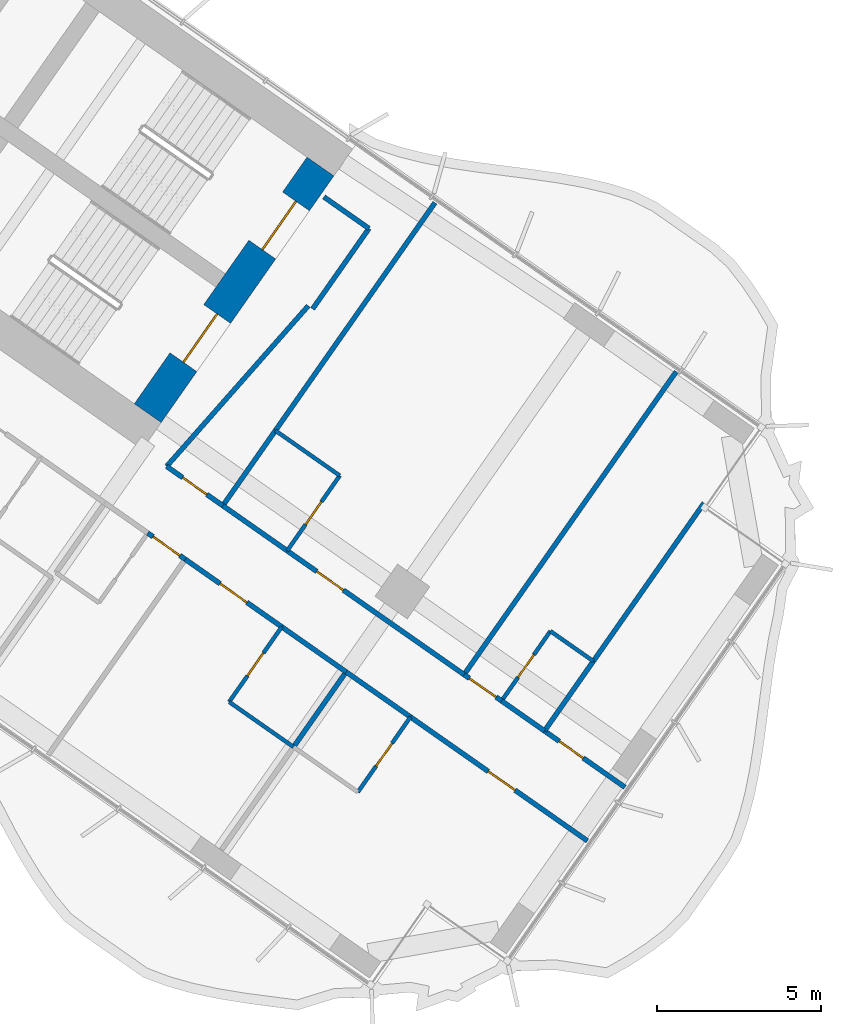
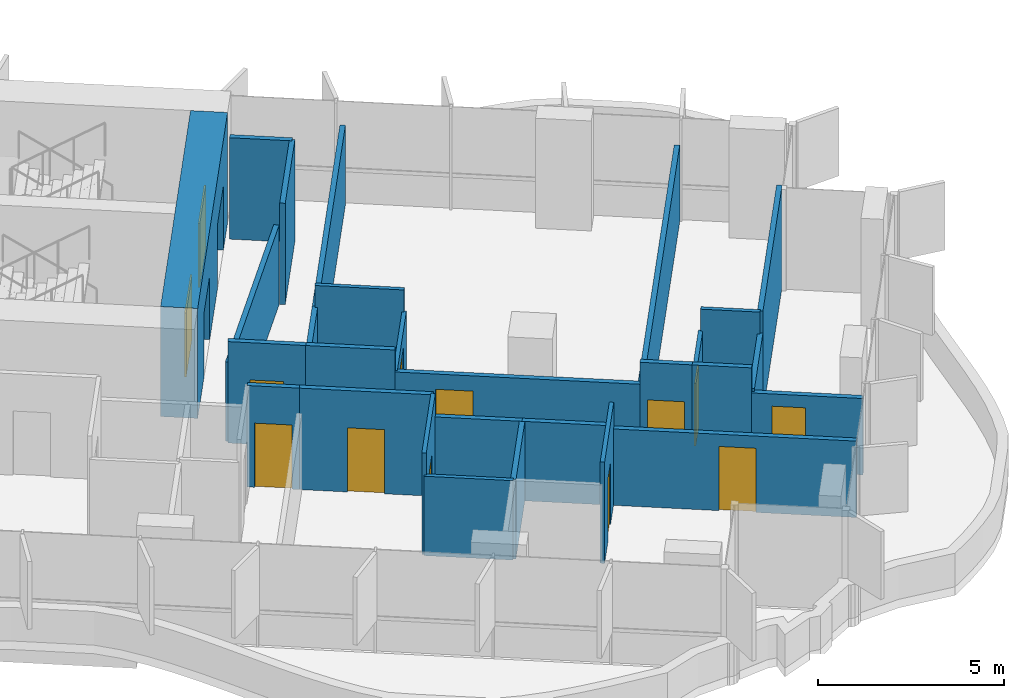
# One storey, part 17 of 25: 28 walls, 13 doors, 13 openings.
"""IFC4 building model written with IfcOpenShell, lengths in metres."""

from ifc_helpers import new_model, si_unit, direction, frame, frame_2d, origin, place, context, subcontext, project, spatial, polyline, rectangle, outline, extrude, material, layer, layer_set, type_object, element, fill, save


model = new_model("IFC4")

# Units and contexts
model_context = context("Model", 3, precision=1e-05, world=origin(), true_north=direction((0.0, 1.0)))
body_context = subcontext(model_context, "Body", "Model", "MODEL_VIEW")
ifc_project = project(units=[si_unit("LENGTHUNIT", "METRE"), si_unit("AREAUNIT", "SQUARE_METRE"), si_unit("VOLUMEUNIT", "CUBIC_METRE"), si_unit("PLANEANGLEUNIT", "RADIAN"), si_unit("MASSUNIT", "GRAM", prefix="KILO")], contexts=[model_context])

# Site, building, storey
site_placement = place(None, origin())
site = spatial("IfcSite", under=ifc_project, at=site_placement, CompositionType="ELEMENT")
building_placement = place(site_placement, origin())
building = spatial("IfcBuilding", under=site, at=building_placement, Name="Tel Ilan Convention Tower", CompositionType="ELEMENT")
storey_placement = place(building_placement, frame((0.0, 0.0, 97.699951171875)))
storey = spatial("IfcBuildingStorey", under=building, at=storey_placement, Name="L20", CompositionType="ELEMENT", Elevation=97.699951171875)

# Wall, openings, doors
ifc_material_1 = material(Name="Concrete C60/75", Category="concrete")
ifc_layer_1 = layer(ifc_material_1, 1.0)
ifc_layer_set_1 = layer_set([ifc_layer_1], Name="Core Shear Wall 1000 mm C60/75")
wall_type_1 = type_object("IfcWallType", Name="Core Shear Wall 1000 mm C60/75", PredefinedType="SHEAR", material=ifc_layer_set_1)
wall_1_placement = place(storey_placement, frame((21.70751953125, -15.19970703125, 0.0), z_axis=(0.0, 0.0, 1.0), x_axis=(0.573576324356, 0.819152122709, 0.0)))
wall_1 = element("IfcWall", 1, at=wall_1_placement, inside=storey, type_object=wall_type_1, Name="L20 core wall E-end", PredefinedType="SHEAR", context=body_context, shape_type="SweptSolid", body=[
    extrude(outline(polyline([(9.199951171875, 0.5), (0.0, 0.5), (0.0, -0.5), (9.199951171875, -0.5), (9.199951171875, 0.5)])), origin(), (0.0, 0.0, 1.0), 3.60009765625),
])
opening_1_placement = place(wall_1_placement, frame((6.10009765625, 0.0, 0.0)))
opening_1 = element("IfcOpeningElement", 2, at=opening_1_placement, cuts=wall_1, Name="Opening SD1803", PredefinedType="OPENING", context=body_context, shape_type="SweptSolid", body=[
    extrude(rectangle(XDim=1.800048828125, YDim=2.10009765625, at=frame_2d((0.89990234375, 1.050048828125))), frame((0.0, 0.510009765625, 0.0), z_axis=(0.0, -1.0, 0.0), x_axis=(1.0, 0.0, 0.0)), (0.0, 0.0, 1.0), 1.02001953125),
])
opening_2_placement = place(wall_1_placement, frame((1.89990234375, 0.0, 0.0)))
opening_2 = element("IfcOpeningElement", 3, at=opening_2_placement, cuts=wall_1, Name="Opening SD1804", PredefinedType="OPENING", context=body_context, shape_type="SweptSolid", body=[
    extrude(rectangle(XDim=1.800048828125, YDim=2.10009765625, at=frame_2d((0.89990234375, 1.050048828125))), frame((0.0, 0.510009765625, 0.0), z_axis=(0.0, -1.0, 0.0), x_axis=(1.0, 0.0, 0.0)), (0.0, 0.0, 1.0), 1.02001953125),
])
ifc_material_2 = material(Name="Galvanised Steel Door Leaf", Category="steel")
door_type_1 = type_object("IfcDoorType", Name="Stair Fire Door 1800 x 2100 FD60S", OperationType="NOTDEFINED", PredefinedType="DOOR", material=ifc_material_2)
door_1_placement = place(opening_1_placement, origin())
door_1 = element("IfcDoor", 4, at=door_1_placement, inside=storey, type_object=door_type_1, Name="Stair S3 door", OperationType="DOUBLE_DOOR_SINGLE_SWING", OverallHeight=2.10009765625, OverallWidth=1.800048828125, PredefinedType="DOOR", context=body_context, shape_type="SweptSolid", body=[
    extrude(rectangle(XDim=1.800048828125, YDim=2.10009765625, at=frame_2d((0.89990234375, 1.050048828125))), frame((0.0, 0.02490234375, 0.0), z_axis=(0.0, -1.0, 0.0), x_axis=(1.0, 0.0, 0.0)), (0.0, 0.0, 1.0), 0.050048828125),
])
fill(opening_1, door_1)
door_2_placement = place(opening_2_placement, origin())
door_2 = element("IfcDoor", 5, at=door_2_placement, inside=storey, type_object=door_type_1, Name="Stair S4 door", OperationType="DOUBLE_DOOR_SINGLE_SWING", OverallHeight=2.10009765625, OverallWidth=1.800048828125, PredefinedType="DOOR", context=body_context, shape_type="SweptSolid", body=[
    extrude(rectangle(XDim=1.800048828125, YDim=2.10009765625, at=frame_2d((0.89990234375, 1.050048828125))), frame((0.0, 0.02490234375, 0.0), z_axis=(0.0, -1.0, 0.0), x_axis=(1.0, 0.0, 0.0)), (0.0, 0.0, 1.0), 0.050048828125),
])
fill(opening_2, door_2)

# Wall, opening, door
ifc_material_3 = material(Name="Plasterboard on Steel Studs", Category="steel")
ifc_layer_2 = layer(ifc_material_3, 0.14990234375)
ifc_layer_set_2 = layer_set([ifc_layer_2], Name="Fire-rated Partition 150 EI 60")
wall_type_2 = type_object("IfcWallType", Name="Fire-rated Partition 150 EI 60", PredefinedType="PARTITIONING", material=ifc_layer_set_2)
wall_2_placement = place(storey_placement, frame((22.28369140625, -16.823974609375, 0.0), z_axis=(0.0, 0.0, 1.0), x_axis=(0.819160859995, -0.573563846013, 0.0)))
wall_2 = element("IfcWall", 6, at=wall_2_placement, inside=storey, type_object=wall_type_2, Name="Partition 001", PredefinedType="PARTITIONING", context=body_context, shape_type="SweptSolid", body=[
    extrude(rectangle(XDim=2.098388671875, YDim=0.14990234375, at=frame_2d((1.04931640625, 0.0))), origin(), (0.0, 0.0, 1.0), 3.320068359375),
])
opening_3_placement = place(wall_2_placement, frame((0.59912109375, 0.0, 0.0)))
opening_3 = element("IfcOpeningElement", 7, at=opening_3_placement, cuts=wall_2, Name="Opening L20-030", PredefinedType="OPENING", context=body_context, shape_type="SweptSolid", body=[
    extrude(rectangle(XDim=0.89990234375, YDim=2.10009765625, at=frame_2d((0.449951171875, 1.050048828125))), frame((0.0, 0.0849609375, 0.0), z_axis=(0.0, -1.0, 0.0), x_axis=(1.0, 0.0, 0.0)), (0.0, 0.0, 1.0), 0.169921875),
])
ifc_material_4 = material(Name="Timber Door Leaf in Steel Frame", Category="steel")
door_type_2 = type_object("IfcDoorType", Name="Room Fire Door 900x2100", OperationType="NOTDEFINED", PredefinedType="DOOR", material=ifc_material_4)
door_3_placement = place(opening_3_placement, origin())
door_3 = element("IfcDoor", 8, at=door_3_placement, inside=storey, type_object=door_type_2, Name="Door L20-030", OperationType="SINGLE_SWING_RIGHT", OverallHeight=2.10009765625, OverallWidth=0.89990234375, PredefinedType="DOOR", context=body_context, shape_type="SweptSolid", body=[
    extrude(rectangle(XDim=0.89990234375, YDim=2.10009765625, at=frame_2d((0.449951171875, 1.050048828125))), frame((0.0, 0.02490234375, 0.0), z_axis=(0.0, -1.0, 0.0), x_axis=(1.0, 0.0, 0.0)), (0.0, 0.0, 1.0), 0.050048828125),
])
fill(opening_3, door_3)

wall_3_placement = place(storey_placement, frame((25.966064453125, -19.402587890625, 0.0), z_axis=(0.0, 0.0, 1.0), x_axis=(0.819171118839, -0.573549194106, 0.0)))
wall_3 = element("IfcWall", 9, at=wall_3_placement, inside=storey, type_object=wall_type_2, Name="Partition 002", PredefinedType="PARTITIONING", context=body_context, shape_type="SweptSolid", body=[
    extrude(rectangle(XDim=6.60302734375, YDim=0.14990234375, at=frame_2d((3.301513671875, 0.0))), origin(), (0.0, 0.0, 1.0), 2.60009765625),
])
opening_4_placement = place(wall_3_placement, frame((1.10107421875, 0.0, 0.0)))
opening_4 = element("IfcOpeningElement", 10, at=opening_4_placement, cuts=wall_3, Name="Opening L20-032", PredefinedType="OPENING", context=body_context, shape_type="SweptSolid", body=[
    extrude(rectangle(XDim=1.0, YDim=2.10009765625, at=frame_2d((0.5, 1.050048828125))), frame((0.0, 0.0849609375, 0.0), z_axis=(0.0, -1.0, 0.0), x_axis=(1.0, 0.0, 0.0)), (0.0, 0.0, 1.0), 0.169921875),
])
ifc_material_5 = material(Name="Timber Door Leaf in Steel Frame", Category="steel")
door_type_3 = type_object("IfcDoorType", Name="Hotel Room Entrance Fire Door 1000x2100", OperationType="NOTDEFINED", PredefinedType="DOOR", material=ifc_material_5)
door_4_placement = place(opening_4_placement, origin())
door_4 = element("IfcDoor", 11, at=door_4_placement, inside=storey, type_object=door_type_3, Name="Door L20-032", OperationType="SINGLE_SWING_RIGHT", OverallHeight=2.10009765625, OverallWidth=1.0, PredefinedType="DOOR", context=body_context, shape_type="SweptSolid", body=[
    extrude(rectangle(XDim=1.0, YDim=2.10009765625, at=frame_2d((0.5, 1.050048828125))), frame((0.0, 0.02490234375, 0.0), z_axis=(0.0, -1.0, 0.0), x_axis=(1.0, 0.0, 0.0)), (0.0, 0.0, 1.0), 0.050048828125),
])
fill(opening_4, door_4)

# Wall
wall_4_placement = place(storey_placement, frame((23.999267578125, -18.025390625, 0.0), z_axis=(0.0, 0.0, 1.0), x_axis=(0.819146032251, -0.573585022335, 0.0)))
element("IfcWall", 12, at=wall_4_placement, inside=storey, type_object=wall_type_2, Name="Partition 003", PredefinedType="PARTITIONING", context=body_context, shape_type="SweptSolid", body=[
    extrude(rectangle(XDim=2.404052734375, YDim=0.14990234375, at=frame_2d((1.2021484375, 0.0))), origin(), (0.0, 0.0, 1.0), 3.320068359375),
])

# Wall, opening, door
wall_5_placement = place(storey_placement, frame((31.37158203125, -23.1875, 0.0), z_axis=(0.0, 0.0, 1.0), x_axis=(0.819199220913, -0.573509055252, 0.0)))
wall_5 = element("IfcWall", 13, at=wall_5_placement, inside=storey, type_object=wall_type_2, Name="Partition 004", PredefinedType="PARTITIONING", context=body_context, shape_type="SweptSolid", body=[
    extrude(rectangle(XDim=1.403076171875, YDim=0.14990234375, at=frame_2d((0.70166015625, 0.0))), origin(), (0.0, 0.0, 1.0), 3.320068359375),
])
opening_5_placement = place(wall_5_placement, frame((0.201904296875, 0.0, 0.0)))
opening_5 = element("IfcOpeningElement", 14, at=opening_5_placement, cuts=wall_5, Name="Opening L20-034", PredefinedType="OPENING", context=body_context, shape_type="SweptSolid", body=[
    extrude(rectangle(XDim=1.0, YDim=2.10009765625, at=frame_2d((0.5, 1.050048828125))), frame((0.0, 0.0849609375, 0.0), z_axis=(0.0, -1.0, 0.0), x_axis=(1.0, 0.0, 0.0)), (0.0, 0.0, 1.0), 0.169921875),
])
door_5_placement = place(opening_5_placement, origin())
door_5 = element("IfcDoor", 15, at=door_5_placement, inside=storey, type_object=door_type_3, Name="Door L20-034", OperationType="SINGLE_SWING_LEFT", OverallHeight=2.10009765625, OverallWidth=1.0, PredefinedType="DOOR", context=body_context, shape_type="SweptSolid", body=[
    extrude(rectangle(XDim=1.0, YDim=2.10009765625, at=frame_2d((0.5, 1.050048828125))), frame((0.0, 0.02490234375, 0.0), z_axis=(0.0, -1.0, 0.0), x_axis=(1.0, 0.0, 0.0)), (0.0, 0.0, 1.0), 0.050048828125),
])
fill(opening_5, door_5)

# Wall
wall_6_placement = place(storey_placement, frame((32.5185546875, -23.990478515625, 0.0), z_axis=(0.0, 0.0, 1.0), x_axis=(0.819189013667, -0.573523634986, 0.0)))
element("IfcWall", 16, at=wall_6_placement, inside=storey, type_object=wall_type_2, Name="Partition 005", PredefinedType="PARTITIONING", context=body_context, shape_type="SweptSolid", body=[
    extrude(rectangle(XDim=1.60400390625, YDim=0.14990234375, at=frame_2d((0.802001953125, 0.0))), origin(), (0.0, 0.0, 1.0), 3.320068359375),
])

# Wall, opening, door
wall_7_placement = place(storey_placement, frame((33.8291015625, -24.908203125, 0.0), z_axis=(0.0, 0.0, 1.0), x_axis=(0.81915932427, -0.57356603932, 0.0)))
wall_7 = element("IfcWall", 17, at=wall_7_placement, inside=storey, type_object=wall_type_2, Name="Partition 006", PredefinedType="PARTITIONING", context=body_context, shape_type="SweptSolid", body=[
    extrude(rectangle(XDim=3.002197265625, YDim=0.14990234375, at=frame_2d((1.5009765625, 0.0))), origin(), (0.0, 0.0, 1.0), 2.5),
])
opening_6_placement = place(wall_7_placement, frame((0.551025390625, 0.0, 0.0)))
opening_6 = element("IfcOpeningElement", 18, at=opening_6_placement, cuts=wall_7, Name="Opening L20-035", PredefinedType="OPENING", context=body_context, shape_type="SweptSolid", body=[
    extrude(rectangle(XDim=0.89990234375, YDim=2.10009765625, at=frame_2d((0.449951171875, 1.050048828125))), frame((0.0, 0.0849609375, 0.0), z_axis=(0.0, -1.0, 0.0), x_axis=(1.0, 0.0, 0.0)), (0.0, 0.0, 1.0), 0.169921875),
])
door_6_placement = place(opening_6_placement, origin())
door_6 = element("IfcDoor", 19, at=door_6_placement, inside=storey, type_object=door_type_2, Name="Door L20-035", OperationType="SINGLE_SWING_LEFT", OverallHeight=2.10009765625, OverallWidth=0.89990234375, PredefinedType="DOOR", context=body_context, shape_type="SweptSolid", body=[
    extrude(rectangle(XDim=0.89990234375, YDim=2.10009765625, at=frame_2d((0.449951171875, 1.050048828125))), frame((0.0, 0.02490234375, 0.0), z_axis=(0.0, -1.0, 0.0), x_axis=(1.0, 0.0, 0.0)), (0.0, 0.0, 1.0), 0.050048828125),
])
fill(opening_6, door_6)

wall_8_placement = place(storey_placement, frame((22.85546875, -19.666015625, 0.0), z_axis=(0.0, 0.0, 1.0), x_axis=(-0.819060210533, 0.573707566205, 0.0)))
wall_8 = element("IfcWall", 20, at=wall_8_placement, inside=storey, type_object=wall_type_2, Name="Partition 013", PredefinedType="PARTITIONING", context=body_context, shape_type="SweptSolid", body=[
    extrude(rectangle(XDim=1.403076171875, YDim=0.14990234375, at=frame_2d((0.70166015625, 0.0))), origin(), (0.0, 0.0, 1.0), 3.320068359375),
])
opening_7_placement = place(wall_8_placement, frame((0.201904296875, 0.0, 0.0)))
opening_7 = element("IfcOpeningElement", 21, at=opening_7_placement, cuts=wall_8, Name="Opening L20-025", PredefinedType="OPENING", context=body_context, shape_type="SweptSolid", body=[
    extrude(rectangle(XDim=1.0, YDim=2.10009765625, at=frame_2d((0.5, 1.050048828125))), frame((0.0, 0.0849609375, 0.0), z_axis=(0.0, -1.0, 0.0), x_axis=(1.0, 0.0, 0.0)), (0.0, 0.0, 1.0), 0.169921875),
])
door_7_placement = place(opening_7_placement, origin())
door_7 = element("IfcDoor", 22, at=door_7_placement, inside=storey, type_object=door_type_3, Name="Door L20-025", OperationType="SINGLE_SWING_RIGHT", OverallHeight=2.10009765625, OverallWidth=1.0, PredefinedType="DOOR", context=body_context, shape_type="SweptSolid", body=[
    extrude(rectangle(XDim=1.0, YDim=2.10009765625, at=frame_2d((0.5, 1.050048828125))), frame((0.0, 0.02490234375, 0.0), z_axis=(0.0, -1.0, 0.0), x_axis=(1.0, 0.0, 0.0)), (0.0, 0.0, 1.0), 0.050048828125),
])
fill(opening_7, door_7)

wall_9_placement = place(storey_placement, frame((25.8037109375, -21.730224609375, 0.0), z_axis=(0.0, 0.0, 1.0), x_axis=(-0.819145961204, 0.573585123798, 0.0)))
wall_9 = element("IfcWall", 23, at=wall_9_placement, inside=storey, type_object=wall_type_2, Name="Partition 015", PredefinedType="PARTITIONING", context=body_context, shape_type="SweptSolid", body=[
    extrude(rectangle(XDim=3.60302734375, YDim=0.14990234375, at=frame_2d((1.801513671875, 0.0))), origin(), (0.0, 0.0, 1.0), 3.320068359375),
])
opening_8_placement = place(wall_9_placement, frame((1.301025390625, 0.0, 0.0)))
opening_8 = element("IfcOpeningElement", 24, at=opening_8_placement, cuts=wall_9, Name="Opening L20-027", PredefinedType="OPENING", context=body_context, shape_type="SweptSolid", body=[
    extrude(rectangle(XDim=1.0, YDim=2.10009765625, at=frame_2d((0.5, 1.050048828125))), frame((0.0, 0.0849609375, 0.0), z_axis=(0.0, -1.0, 0.0), x_axis=(1.0, 0.0, 0.0)), (0.0, 0.0, 1.0), 0.169921875),
])
door_8_placement = place(opening_8_placement, origin())
door_8 = element("IfcDoor", 25, at=door_8_placement, inside=storey, type_object=door_type_3, Name="Door L20-027", OperationType="SINGLE_SWING_LEFT", OverallHeight=2.10009765625, OverallWidth=1.0, PredefinedType="DOOR", context=body_context, shape_type="SweptSolid", body=[
    extrude(rectangle(XDim=1.0, YDim=2.10009765625, at=frame_2d((0.5, 1.050048828125))), frame((0.0, 0.02490234375, 0.0), z_axis=(0.0, -1.0, 0.0), x_axis=(1.0, 0.0, 0.0)), (0.0, 0.0, 1.0), 0.050048828125),
])
fill(opening_8, door_8)

# Wall
wall_10_placement = place(storey_placement, frame((27.7705078125, -23.107421875, 0.0), z_axis=(0.0, 0.0, 1.0), x_axis=(-0.819179439794, 0.573537309527, 0.0)))
element("IfcWall", 26, at=wall_10_placement, inside=storey, type_object=wall_type_2, Name="Partition 016", PredefinedType="PARTITIONING", context=body_context, shape_type="SweptSolid", body=[
    extrude(rectangle(XDim=2.404296875, YDim=0.14990234375, at=frame_2d((1.2021484375, 0.0))), origin(), (0.0, 0.0, 1.0), 2.60009765625),
])

# Wall, opening, door
wall_11_placement = place(storey_placement, frame((35.14111328125, -28.268310546875, 0.0), z_axis=(0.0, 0.0, 1.0), x_axis=(-0.819155459934, 0.573571558274, 0.0)))
wall_11 = element("IfcWall", 27, at=wall_11_placement, inside=storey, type_object=wall_type_2, Name="Partition 017", PredefinedType="PARTITIONING", context=body_context, shape_type="SweptSolid", body=[
    extrude(rectangle(XDim=6.60107421875, YDim=0.14990234375, at=frame_2d((3.300537109375, 0.0))), origin(), (0.0, 0.0, 1.0), 2.5),
])
opening_9_placement = place(wall_11_placement, frame((2.699951171875, 0.0, 0.0)))
opening_9 = element("IfcOpeningElement", 28, at=opening_9_placement, cuts=wall_11, Name="Opening L20-029", PredefinedType="OPENING", context=body_context, shape_type="SweptSolid", body=[
    extrude(rectangle(XDim=1.0, YDim=2.10009765625, at=frame_2d((0.5, 1.050048828125))), frame((0.0, 0.0849609375, 0.0), z_axis=(0.0, -1.0, 0.0), x_axis=(1.0, 0.0, 0.0)), (0.0, 0.0, 1.0), 0.169921875),
])
door_9_placement = place(opening_9_placement, origin())
door_9 = element("IfcDoor", 29, at=door_9_placement, inside=storey, type_object=door_type_3, Name="Door L20-029", OperationType="SINGLE_SWING_LEFT", OverallHeight=2.10009765625, OverallWidth=1.0, PredefinedType="DOOR", context=body_context, shape_type="SweptSolid", body=[
    extrude(rectangle(XDim=1.0, YDim=2.10009765625, at=frame_2d((0.5, 1.050048828125))), frame((0.0, 0.02490234375, 0.0), z_axis=(0.0, -1.0, 0.0), x_axis=(1.0, 0.0, 0.0)), (0.0, 0.0, 1.0), 0.050048828125),
])
fill(opening_9, door_9)

# Walls
wall_12_placement = place(storey_placement, frame((29.736328125, -24.48388671875, 0.0), z_axis=(0.0, 0.0, 1.0), x_axis=(-0.819146032251, 0.573585022335, 0.0)))
element("IfcWall", 30, at=wall_12_placement, inside=storey, type_object=wall_type_2, Name="Partition 018", PredefinedType="PARTITIONING", context=body_context, shape_type="SweptSolid", body=[
    extrude(rectangle(XDim=2.404052734375, YDim=0.14990234375, at=frame_2d((1.2021484375, 0.0))), origin(), (0.0, 0.0, 1.0), 2.60009765625),
])
wall_13_placement = place(storey_placement, frame((30.482421875, -8.77001953125, 0.0), z_axis=(0.0, 0.0, 1.0), x_axis=(-0.573576058406, -0.819152308929, 0.0)))
element("IfcWall", 31, at=wall_13_placement, inside=storey, type_object=wall_type_2, Name="Partition 038", PredefinedType="PARTITIONING", context=body_context, shape_type="SweptSolid", body=[
    extrude(rectangle(XDim=8.5009765625, YDim=0.14990234375, at=frame_2d((4.25048828125, 0.0))), origin(), (0.0, 0.0, 1.0), 2.60009765625),
])
wall_14_placement = place(storey_placement, frame((25.608154296875, -15.731201171875, 0.0), z_axis=(0.0, 0.0, 1.0), x_axis=(-0.573596837309, -0.819137759006, 0.0)))
element("IfcWall", 32, at=wall_14_placement, inside=storey, type_object=wall_type_2, Name="Partition 039", PredefinedType="PARTITIONING", context=body_context, shape_type="SweptSolid", body=[
    extrude(rectangle(XDim=2.802001953125, YDim=0.14990234375, at=frame_2d((1.40087890625, 0.0))), origin(), (0.0, 0.0, 1.0), 2.60009765625),
])
wall_15_placement = place(storey_placement, frame((22.285400390625, -16.8251953125, 0.0), z_axis=(0.0, 0.0, 1.0), x_axis=(0.661551268245, 0.749899939647, 0.0)))
element("IfcWall", 33, at=wall_15_placement, inside=storey, type_object=wall_type_2, Name="Partition 040", PredefinedType="PARTITIONING", context=body_context, shape_type="SweptSolid", body=[
    extrude(rectangle(XDim=6.541015625, YDim=0.14990234375, at=frame_2d((3.2705078125, 0.0))), origin(), (0.0, 0.0, 1.0), 2.60009765625),
])
wall_16_placement = place(storey_placement, frame((26.74609375, -12.013671875, 0.0), z_axis=(0.0, 0.0, 1.0), x_axis=(0.573560650686, 0.819163097304, 0.0)))
element("IfcWall", 34, at=wall_16_placement, inside=storey, type_object=wall_type_2, Name="Partition 041", PredefinedType="PARTITIONING", context=body_context, shape_type="SweptSolid", body=[
    extrude(rectangle(XDim=3.0, YDim=0.14990234375, at=frame_2d((1.5, 0.0))), origin(), (0.0, 0.0, 1.0), 3.320068359375),
])
wall_17_placement = place(storey_placement, frame((28.466796875, -9.55615234375, 0.0), z_axis=(0.0, 0.0, 1.0), x_axis=(-0.819109000826, 0.573637903879, 0.0)))
element("IfcWall", 35, at=wall_17_placement, inside=storey, type_object=wall_type_2, Name="Partition 042", PredefinedType="PARTITIONING", context=body_context, shape_type="SweptSolid", body=[
    extrude(rectangle(XDim=1.679931640625, YDim=0.14990234375, at=frame_2d((0.83984375, 0.0))), origin(), (0.0, 0.0, 1.0), 3.320068359375),
])
wall_18_placement = place(storey_placement, frame((37.854736328125, -13.93212890625, 0.0), z_axis=(0.0, 0.0, 1.0), x_axis=(-0.573571089604, -0.819155788095, 0.0)))
element("IfcWall", 36, at=wall_18_placement, inside=storey, type_object=wall_type_2, Name="Partition 045", PredefinedType="PARTITIONING", context=body_context, shape_type="SweptSolid", body=[
    extrude(rectangle(XDim=11.300048828125, YDim=0.14990234375, at=frame_2d((5.64990234375, 0.0))), origin(), (0.0, 0.0, 1.0), 2.5),
])
wall_19_placement = place(storey_placement, frame((38.70751953125, -17.94482421875, 0.0), z_axis=(0.0, 0.0, 1.0), x_axis=(-0.573573403315, -0.819154168035, 0.0)))
element("IfcWall", 37, at=wall_19_placement, inside=storey, type_object=wall_type_2, Name="Partition 048", PredefinedType="PARTITIONING", context=body_context, shape_type="SweptSolid", body=[
    extrude(rectangle(XDim=5.901123046875, YDim=0.14990234375, at=frame_2d((2.95068359375, 0.0))), origin(), (0.0, 0.0, 1.0), 3.320068359375),
])
wall_20_placement = place(storey_placement, frame((35.322021484375, -22.779541015625, 0.0), z_axis=(0.0, 0.0, 1.0), x_axis=(-0.573537965655, -0.819178980414, 0.0)))
element("IfcWall", 38, at=wall_20_placement, inside=storey, type_object=wall_type_2, Name="Partition 049", PredefinedType="PARTITIONING", context=body_context, shape_type="SweptSolid", body=[
    extrude(rectangle(XDim=2.60009765625, YDim=0.14990234375, at=frame_2d((1.300048828125, 0.0))), origin(), (0.0, 0.0, 1.0), 2.60009765625),
])
wall_21_placement = place(storey_placement, frame((27.768798828125, -23.106201171875, 0.0), z_axis=(0.0, 0.0, 1.0), x_axis=(-0.573608623498, -0.819129505664, 0.0)))
element("IfcWall", 39, at=wall_21_placement, inside=storey, type_object=wall_type_2, Name="Partition 068", PredefinedType="PARTITIONING", context=body_context, shape_type="SweptSolid", body=[
    extrude(rectangle(XDim=2.800048828125, YDim=0.14990234375, at=frame_2d((1.39990234375, 0.0))), origin(), (0.0, 0.0, 1.0), 2.60009765625),
])

# Wall, opening, door
ifc_material_6 = material(Name="Plasterboard on Steel Studs", Category="steel")
ifc_layer_3 = layer(ifc_material_6, 0.1201171875)
ifc_layer_set_3 = layer_set([ifc_layer_3], Name="Moisture-resistant Partition 120")
wall_type_3 = type_object("IfcWallType", Name="Moisture-resistant Partition 120", PredefinedType="PARTITIONING", material=ifc_layer_set_3)
wall_22_placement = place(storey_placement, frame((25.9677734375, -19.403564453125, 0.0), z_axis=(0.0, 0.0, 1.0), x_axis=(0.573591086599, 0.819141785879, 0.0)))
wall_22 = element("IfcWall", 40, at=wall_22_placement, inside=storey, type_object=wall_type_3, Name="Partition 043", PredefinedType="PARTITIONING", context=body_context, shape_type="SweptSolid", body=[
    extrude(rectangle(XDim=2.7998046875, YDim=0.1201171875, at=frame_2d((1.39990234375, 0.0))), origin(), (0.0, 0.0, 1.0), 2.60009765625),
])
opening_10_placement = place(wall_22_placement, frame((0.97509765625, 0.0, 0.0)))
opening_10 = element("IfcOpeningElement", 41, at=opening_10_placement, cuts=wall_22, Name="Opening L20-031", PredefinedType="OPENING", context=body_context, shape_type="SweptSolid", body=[
    extrude(rectangle(XDim=0.85009765625, YDim=2.050048828125, at=frame_2d((0.425048828125, 1.02490234375))), frame((0.0, 0.070068359375, 0.0), z_axis=(0.0, -1.0, 0.0), x_axis=(1.0, 0.0, 0.0)), (0.0, 0.0, 1.0), 0.14013671875),
])
ifc_material_7 = material(Name="Timber Door Leaf in Steel Frame", Category="steel")
door_type_4 = type_object("IfcDoorType", Name="Bathroom Timber Door 850x2050", OperationType="NOTDEFINED", PredefinedType="DOOR", material=ifc_material_7)
door_10_placement = place(opening_10_placement, origin())
door_10 = element("IfcDoor", 42, at=door_10_placement, inside=storey, type_object=door_type_4, Name="Door L20-031", OperationType="SINGLE_SWING_LEFT", OverallHeight=2.050048828125, OverallWidth=0.85009765625, PredefinedType="DOOR", context=body_context, shape_type="SweptSolid", body=[
    extrude(rectangle(XDim=0.85009765625, YDim=2.050048828125, at=frame_2d((0.425048828125, 1.02490234375))), frame((0.0, 0.02490234375, 0.0), z_axis=(0.0, -1.0, 0.0), x_axis=(1.0, 0.0, 0.0)), (0.0, 0.0, 1.0), 0.050048828125),
])
fill(opening_10, door_10)

# Walls
wall_23_placement = place(storey_placement, frame((27.573486328125, -17.108642578125, 0.0), z_axis=(0.0, 0.0, 1.0), x_axis=(-0.819107643868, 0.573639841501, 0.0)))
element("IfcWall", 43, at=wall_23_placement, inside=storey, type_object=wall_type_3, Name="Partition 044", PredefinedType="PARTITIONING", context=body_context, shape_type="SweptSolid", body=[
    extrude(rectangle(XDim=2.39990234375, YDim=0.1201171875, at=frame_2d((1.199951171875, 0.0))), origin(), (0.0, 0.0, 1.0), 3.320068359375),
])
wall_24_placement = place(storey_placement, frame((35.32275390625, -22.77880859375, 0.0), z_axis=(0.0, 0.0, 1.0), x_axis=(-0.81918174131, 0.573534022273, 0.0)))
element("IfcWall", 44, at=wall_24_placement, inside=storey, type_object=wall_type_3, Name="Partition 046", PredefinedType="PARTITIONING", context=body_context, shape_type="SweptSolid", body=[
    extrude(rectangle(XDim=1.60009765625, YDim=0.1201171875, at=frame_2d((0.800048828125, 0.0))), origin(), (0.0, 0.0, 1.0), 3.320068359375),
])

# Wall, opening, door
wall_25_placement = place(storey_placement, frame((34.010498046875, -21.861328125, 0.0), z_axis=(0.0, 0.0, 1.0), x_axis=(-0.573537965655, -0.819178980414, 0.0)))
wall_25 = element("IfcWall", 45, at=wall_25_placement, inside=storey, type_object=wall_type_3, Name="Partition 047", PredefinedType="PARTITIONING", context=body_context, shape_type="SweptSolid", body=[
    extrude(rectangle(XDim=2.60009765625, YDim=0.1201171875, at=frame_2d((1.300048828125, 0.0))), origin(), (0.0, 0.0, 1.0), 2.60009765625),
])
opening_11_placement = place(wall_25_placement, frame((0.875, 0.0, 0.0)))
opening_11 = element("IfcOpeningElement", 46, at=opening_11_placement, cuts=wall_25, Name="Opening L20-033", PredefinedType="OPENING", context=body_context, shape_type="SweptSolid", body=[
    extrude(rectangle(XDim=0.85009765625, YDim=2.050048828125, at=frame_2d((0.425048828125, 1.02490234375))), frame((0.0, 0.070068359375, 0.0), z_axis=(0.0, -1.0, 0.0), x_axis=(1.0, 0.0, 0.0)), (0.0, 0.0, 1.0), 0.14013671875),
])
door_11_placement = place(opening_11_placement, origin())
door_11 = element("IfcDoor", 47, at=door_11_placement, inside=storey, type_object=door_type_4, Name="Door L20-033", OperationType="SINGLE_SWING_RIGHT", OverallHeight=2.050048828125, OverallWidth=0.85009765625, PredefinedType="DOOR", context=body_context, shape_type="SweptSolid", body=[
    extrude(rectangle(XDim=0.85009765625, YDim=2.050048828125, at=frame_2d((0.425048828125, 1.02490234375))), frame((0.0, 0.02490234375, 0.0), z_axis=(0.0, -1.0, 0.0), x_axis=(1.0, 0.0, 0.0)), (0.0, 0.0, 1.0), 0.050048828125),
])
fill(opening_11, door_11)

wall_26_placement = place(storey_placement, frame((25.802001953125, -21.72900390625, 0.0), z_axis=(0.0, 0.0, 1.0), x_axis=(-0.573608623498, -0.819129505664, 0.0)))
wall_26 = element("IfcWall", 48, at=wall_26_placement, inside=storey, type_object=wall_type_3, Name="Partition 065", PredefinedType="PARTITIONING", context=body_context, shape_type="SweptSolid", body=[
    extrude(rectangle(XDim=2.800048828125, YDim=0.1201171875, at=frame_2d((1.39990234375, 0.0))), origin(), (0.0, 0.0, 1.0), 3.320068359375),
])
opening_12_placement = place(wall_26_placement, frame((0.97509765625, 0.0, 0.0)))
opening_12 = element("IfcOpeningElement", 49, at=opening_12_placement, cuts=wall_26, Name="Opening L20-026", PredefinedType="OPENING", context=body_context, shape_type="SweptSolid", body=[
    extrude(rectangle(XDim=0.85009765625, YDim=2.050048828125, at=frame_2d((0.425048828125, 1.02490234375))), frame((0.0, 0.070068359375, 0.0), z_axis=(0.0, -1.0, 0.0), x_axis=(1.0, 0.0, 0.0)), (0.0, 0.0, 1.0), 0.14013671875),
])
door_12_placement = place(opening_12_placement, origin())
door_12 = element("IfcDoor", 50, at=door_12_placement, inside=storey, type_object=door_type_4, Name="Door L20-026", OperationType="SINGLE_SWING_RIGHT", OverallHeight=2.050048828125, OverallWidth=0.85009765625, PredefinedType="DOOR", context=body_context, shape_type="SweptSolid", body=[
    extrude(rectangle(XDim=0.85009765625, YDim=2.050048828125, at=frame_2d((0.425048828125, 1.02490234375))), frame((0.0, 0.02490234375, 0.0), z_axis=(0.0, -1.0, 0.0), x_axis=(1.0, 0.0, 0.0)), (0.0, 0.0, 1.0), 0.050048828125),
])
fill(opening_12, door_12)

# Wall
wall_27_placement = place(storey_placement, frame((24.1962890625, -24.024169921875, 0.0), z_axis=(0.0, 0.0, 1.0), x_axis=(0.819155442668, -0.573571582932, 0.0)))
element("IfcWall", 51, at=wall_27_placement, inside=storey, type_object=wall_type_3, Name="Partition 066", PredefinedType="PARTITIONING", context=body_context, shape_type="SweptSolid", body=[
    extrude(rectangle(XDim=2.39990234375, YDim=0.1201171875, at=frame_2d((1.199951171875, 0.0))), origin(), (0.0, 0.0, 1.0), 2.60009765625),
])

# Wall, opening, door
wall_28_placement = place(storey_placement, frame((28.12939453125, -26.777099609375, 0.0), z_axis=(0.0, 0.0, 1.0), x_axis=(0.573608623498, 0.819129505664, 0.0)))
wall_28 = element("IfcWall", 52, at=wall_28_placement, inside=storey, type_object=wall_type_3, Name="Partition 070", PredefinedType="PARTITIONING", context=body_context, shape_type="SweptSolid", body=[
    extrude(rectangle(XDim=2.800048828125, YDim=0.1201171875, at=frame_2d((1.39990234375, 0.0))), origin(), (0.0, 0.0, 1.0), 3.320068359375),
])
opening_13_placement = place(wall_28_placement, frame((0.97509765625, 0.0, 0.0)))
opening_13 = element("IfcOpeningElement", 53, at=opening_13_placement, cuts=wall_28, Name="Opening L20-028", PredefinedType="OPENING", context=body_context, shape_type="SweptSolid", body=[
    extrude(rectangle(XDim=0.85009765625, YDim=2.050048828125, at=frame_2d((0.425048828125, 1.02490234375))), frame((0.0, 0.070068359375, 0.0), z_axis=(0.0, -1.0, 0.0), x_axis=(1.0, 0.0, 0.0)), (0.0, 0.0, 1.0), 0.14013671875),
])
door_13_placement = place(opening_13_placement, origin())
door_13 = element("IfcDoor", 54, at=door_13_placement, inside=storey, type_object=door_type_4, Name="Door L20-028", OperationType="SINGLE_SWING_RIGHT", OverallHeight=2.050048828125, OverallWidth=0.85009765625, PredefinedType="DOOR", context=body_context, shape_type="SweptSolid", body=[
    extrude(rectangle(XDim=0.85009765625, YDim=2.050048828125, at=frame_2d((0.425048828125, 1.02490234375))), frame((0.0, 0.02490234375, 0.0), z_axis=(0.0, -1.0, 0.0), x_axis=(1.0, 0.0, 0.0)), (0.0, 0.0, 1.0), 0.050048828125),
])
fill(opening_13, door_13)

save(model, "model.ifc")
